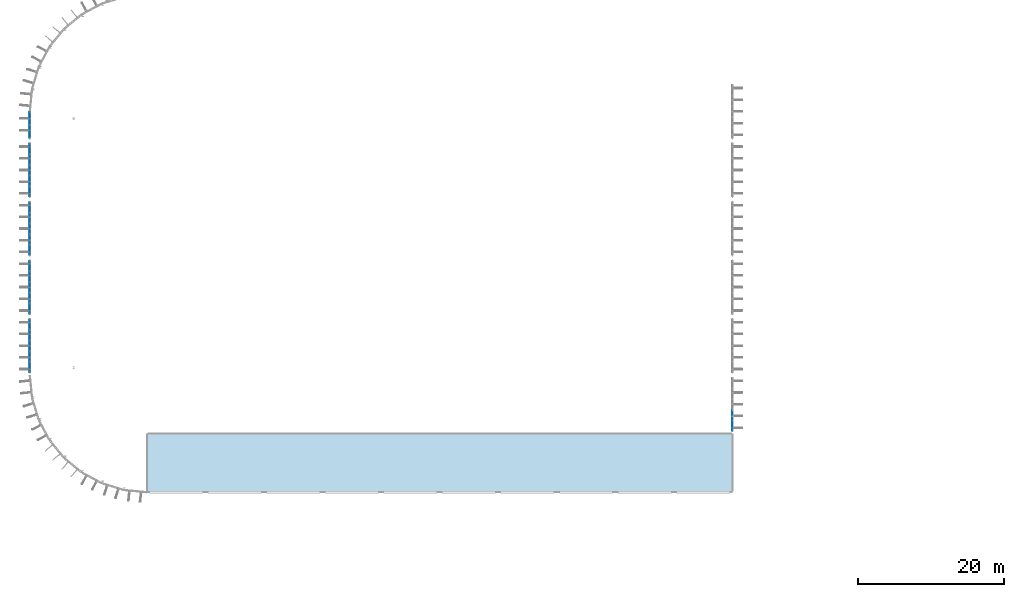
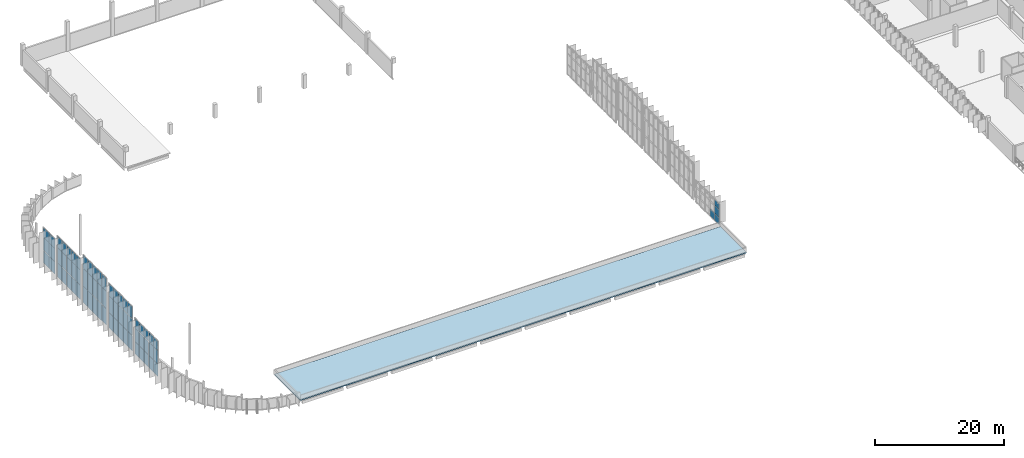
# One storey, part 20 of 38: 70 plates, 1 slab, 6 elements without a shape of their own.
"""IFC4 building model written with IfcOpenShell, lengths in metres."""

from ifc_helpers import new_model, si_unit, direction, frame, origin, origin_2d, place, context, subcontext, project, spatial, polyline, rectangle, outline, extrude, material, layer, layer_set, type_object, element, aggregate, save


model = new_model("IFC4")

# Units and contexts
model_context = context("Model", 3, precision=1e-05, world=origin(), true_north=direction((0.0, 1.0)))
body_context = subcontext(model_context, "Body", "Model", "MODEL_VIEW")
ifc_project = project(units=[si_unit("LENGTHUNIT", "METRE"), si_unit("AREAUNIT", "SQUARE_METRE"), si_unit("VOLUMEUNIT", "CUBIC_METRE"), si_unit("PLANEANGLEUNIT", "RADIAN"), si_unit("MASSUNIT", "GRAM", prefix="KILO")], contexts=[model_context])

# Site, building, storey
site_placement = place(None, origin())
site = spatial("IfcSite", under=ifc_project, at=site_placement, CompositionType="ELEMENT")
building_placement = place(site_placement, origin())
building = spatial("IfcBuilding", under=site, at=building_placement, Name="Drelvana Railside Aquatics Centre", CompositionType="ELEMENT")
storey_placement = place(building_placement, frame((0.0, 0.0, 14.39990234375)))
storey = spatial("IfcBuildingStorey", under=building, at=storey_placement, Name="L03", CompositionType="ELEMENT", Elevation=14.39990234375)

# Curtain wall, plates
ifc_material_1 = material(Name="Bronze-anodised aluminium curtain wall", Category="aluminium")
ifc_layer_1 = layer(ifc_material_1, 0.219970703125, Name="Bronze-anodised aluminium curtain wall")
ifc_layer_set_1 = layer_set([ifc_layer_1], Name="Bronze-anodised aluminium curtain wall")
curtain_wall_type = type_object("IfcCurtainWallType", Name="CW-Z3-HIGH", PredefinedType="NOTDEFINED", material=ifc_layer_set_1)
curtain_wall_1_placement = place(storey_placement, origin())
curtain_wall_1 = element("IfcCurtainWall", 1, at=curtain_wall_1_placement, inside=storey, type_object=curtain_wall_type, Name="Curtain wall CW-03-044", PredefinedType="NOTDEFINED")
ifc_material_2 = material(Name="Double-glazed low-e solar-control glass", Category="glass")
ifc_layer_2 = layer(ifc_material_2, 0.035888671875, Name="Double-glazed low-e solar-control glass")
ifc_layer_set_2 = layer_set([ifc_layer_2], Name="Double-glazed low-e solar-control glass")
plate_type = type_object("IfcPlateType", Name="CW-Z3-HIGH-PAN", PredefinedType="CURTAIN_PANEL", material=ifc_layer_set_2)
plate_1_placement = place(storey_placement, frame((0.0, 33.09521484375, 0.06396484375), z_axis=(0.0, 0.0, 1.0), x_axis=(0.0, 1.0, 0.0)))
plate_1 = element("IfcPlate", 2, at=plate_1_placement, type_object=plate_type, Name="CW-03 panel 1.1", PredefinedType="CURTAIN_PANEL", context=body_context, shape_type="SweptSolid", body=[
    extrude(rectangle(XDim=1.352294921875, YDim=0.035888671875, at=origin_2d()), origin(), (0.0, 0.0, 1.0), 2.28955078125),
])
plate_2_placement = place(storey_placement, frame((0.0, 33.09521484375, 2.418701171875), z_axis=(0.0, 0.0, 1.0), x_axis=(0.0, 1.0, 0.0)))
plate_2 = element("IfcPlate", 3, at=plate_2_placement, type_object=plate_type, Name="CW-03 panel 1.2", PredefinedType="CURTAIN_PANEL", context=body_context, shape_type="SweptSolid", body=[
    extrude(rectangle(XDim=1.352294921875, YDim=0.035888671875, at=origin_2d()), origin(), (0.0, 0.0, 1.0), 2.462890625),
])
plate_3_placement = place(storey_placement, frame((0.0, 33.09521484375, 4.946533203125), z_axis=(0.0, 0.0, 1.0), x_axis=(0.0, 1.0, 0.0)))
plate_3 = element("IfcPlate", 4, at=plate_3_placement, type_object=plate_type, Name="CW-03 panel 1.3", PredefinedType="CURTAIN_PANEL", context=body_context, shape_type="SweptSolid", body=[
    extrude(rectangle(XDim=1.352294921875, YDim=0.035888671875, at=origin_2d()), origin(), (0.0, 0.0, 1.0), 1.8115234375),
])
plate_4_placement = place(storey_placement, frame((0.0, 34.53759765625, 0.06396484375), z_axis=(0.0, 0.0, 1.0), x_axis=(0.0, 1.0, 0.0)))
plate_4 = element("IfcPlate", 5, at=plate_4_placement, type_object=plate_type, Name="CW-03 panel 2.1", PredefinedType="CURTAIN_PANEL", context=body_context, shape_type="SweptSolid", body=[
    extrude(rectangle(XDim=1.392333984375, YDim=0.035888671875, at=origin_2d()), origin(), (0.0, 0.0, 1.0), 2.28955078125),
])
plate_5_placement = place(storey_placement, frame((0.0, 34.53759765625, 2.418701171875), z_axis=(0.0, 0.0, 1.0), x_axis=(0.0, 1.0, 0.0)))
plate_5 = element("IfcPlate", 6, at=plate_5_placement, type_object=plate_type, Name="CW-03 panel 2.2", PredefinedType="CURTAIN_PANEL", context=body_context, shape_type="SweptSolid", body=[
    extrude(rectangle(XDim=1.392333984375, YDim=0.035888671875, at=origin_2d()), origin(), (0.0, 0.0, 1.0), 2.462890625),
])
plate_6_placement = place(storey_placement, frame((0.0, 34.53759765625, 4.946533203125), z_axis=(0.0, 0.0, 1.0), x_axis=(0.0, 1.0, 0.0)))
plate_6 = element("IfcPlate", 7, at=plate_6_placement, type_object=plate_type, Name="CW-03 panel 2.3", PredefinedType="CURTAIN_PANEL", context=body_context, shape_type="SweptSolid", body=[
    extrude(rectangle(XDim=1.392333984375, YDim=0.035888671875, at=origin_2d()), origin(), (0.0, 0.0, 1.0), 1.8115234375),
])
plate_7_placement = place(storey_placement, frame((0.0, 36.0, 0.06396484375), z_axis=(0.0, 0.0, 1.0), x_axis=(0.0, 1.0, 0.0)))
plate_7 = element("IfcPlate", 8, at=plate_7_placement, type_object=plate_type, Name="CW-03 panel 3.1", PredefinedType="CURTAIN_PANEL", context=body_context, shape_type="SweptSolid", body=[
    extrude(rectangle(XDim=1.392333984375, YDim=0.035888671875, at=origin_2d()), origin(), (0.0, 0.0, 1.0), 2.28955078125),
])
plate_8_placement = place(storey_placement, frame((0.0, 36.0, 2.418701171875), z_axis=(0.0, 0.0, 1.0), x_axis=(0.0, 1.0, 0.0)))
plate_8 = element("IfcPlate", 9, at=plate_8_placement, type_object=plate_type, Name="CW-03 panel 3.2", PredefinedType="CURTAIN_PANEL", context=body_context, shape_type="SweptSolid", body=[
    extrude(rectangle(XDim=1.392333984375, YDim=0.035888671875, at=origin_2d()), origin(), (0.0, 0.0, 1.0), 2.462890625),
])
plate_9_placement = place(storey_placement, frame((0.0, 36.0, 4.946533203125), z_axis=(0.0, 0.0, 1.0), x_axis=(0.0, 1.0, 0.0)))
plate_9 = element("IfcPlate", 10, at=plate_9_placement, type_object=plate_type, Name="CW-03 panel 3.3", PredefinedType="CURTAIN_PANEL", context=body_context, shape_type="SweptSolid", body=[
    extrude(rectangle(XDim=1.392333984375, YDim=0.035888671875, at=origin_2d()), origin(), (0.0, 0.0, 1.0), 1.8115234375),
])
plate_10_placement = place(storey_placement, frame((0.0, 37.46240234375, 0.06396484375), z_axis=(0.0, 0.0, 1.0), x_axis=(0.0, 1.0, 0.0)))
plate_10 = element("IfcPlate", 11, at=plate_10_placement, type_object=plate_type, Name="CW-03 panel 4.1", PredefinedType="CURTAIN_PANEL", context=body_context, shape_type="SweptSolid", body=[
    extrude(rectangle(XDim=1.392333984375, YDim=0.035888671875, at=origin_2d()), origin(), (0.0, 0.0, 1.0), 2.28955078125),
])
plate_11_placement = place(storey_placement, frame((0.0, 37.46240234375, 2.418701171875), z_axis=(0.0, 0.0, 1.0), x_axis=(0.0, 1.0, 0.0)))
plate_11 = element("IfcPlate", 12, at=plate_11_placement, type_object=plate_type, Name="CW-03 panel 4.2", PredefinedType="CURTAIN_PANEL", context=body_context, shape_type="SweptSolid", body=[
    extrude(rectangle(XDim=1.392333984375, YDim=0.035888671875, at=origin_2d()), origin(), (0.0, 0.0, 1.0), 2.462890625),
])
plate_12_placement = place(storey_placement, frame((0.0, 37.46240234375, 4.946533203125), z_axis=(0.0, 0.0, 1.0), x_axis=(0.0, 1.0, 0.0)))
plate_12 = element("IfcPlate", 13, at=plate_12_placement, type_object=plate_type, Name="CW-03 panel 4.3", PredefinedType="CURTAIN_PANEL", context=body_context, shape_type="SweptSolid", body=[
    extrude(rectangle(XDim=1.392333984375, YDim=0.035888671875, at=origin_2d()), origin(), (0.0, 0.0, 1.0), 1.8115234375),
])
plate_13_placement = place(storey_placement, frame((0.0, 38.90478515625, 0.06396484375), z_axis=(0.0, 0.0, 1.0), x_axis=(0.0, 1.0, 0.0)))
plate_13 = element("IfcPlate", 14, at=plate_13_placement, type_object=plate_type, Name="CW-03 panel 5.1", PredefinedType="CURTAIN_PANEL", context=body_context, shape_type="SweptSolid", body=[
    extrude(rectangle(XDim=1.352294921875, YDim=0.035888671875, at=origin_2d()), origin(), (0.0, 0.0, 1.0), 2.28955078125),
])
plate_14_placement = place(storey_placement, frame((0.0, 38.90478515625, 2.418701171875), z_axis=(0.0, 0.0, 1.0), x_axis=(0.0, 1.0, 0.0)))
plate_14 = element("IfcPlate", 15, at=plate_14_placement, type_object=plate_type, Name="CW-03 panel 5.2", PredefinedType="CURTAIN_PANEL", context=body_context, shape_type="SweptSolid", body=[
    extrude(rectangle(XDim=1.352294921875, YDim=0.035888671875, at=origin_2d()), origin(), (0.0, 0.0, 1.0), 2.462890625),
])
plate_15_placement = place(storey_placement, frame((0.0, 38.90478515625, 4.946533203125), z_axis=(0.0, 0.0, 1.0), x_axis=(0.0, 1.0, 0.0)))
plate_15 = element("IfcPlate", 16, at=plate_15_placement, type_object=plate_type, Name="CW-03 panel 5.3", PredefinedType="CURTAIN_PANEL", context=body_context, shape_type="SweptSolid", body=[
    extrude(rectangle(XDim=1.352294921875, YDim=0.035888671875, at=origin_2d()), origin(), (0.0, 0.0, 1.0), 1.8115234375),
])
aggregate(curtain_wall_1, [plate_1, plate_2, plate_3, plate_4, plate_5, plate_6, plate_7, plate_8, plate_9, plate_10, plate_11, plate_12, plate_13, plate_14, plate_15])

curtain_wall_2_placement = place(storey_placement, origin())
curtain_wall_2 = element("IfcCurtainWall", 17, at=curtain_wall_2_placement, inside=storey, type_object=curtain_wall_type, Name="Curtain wall CW-03-048", PredefinedType="NOTDEFINED")
plate_16_placement = place(storey_placement, frame((0.0, 41.09521484375, 0.064208984375), z_axis=(0.0, 0.0, 1.0), x_axis=(0.0, 1.0, 0.0)))
plate_16 = element("IfcPlate", 18, at=plate_16_placement, type_object=plate_type, Name="CW-03 panel 1.1", PredefinedType="CURTAIN_PANEL", context=body_context, shape_type="SweptSolid", body=[
    extrude(rectangle(XDim=1.352294921875, YDim=0.035888671875, at=origin_2d()), origin(), (0.0, 0.0, 1.0), 2.8994140625),
])
plate_17_placement = place(storey_placement, frame((0.0, 41.09521484375, 3.028564453125), z_axis=(0.0, 0.0, 1.0), x_axis=(0.0, 1.0, 0.0)))
plate_17 = element("IfcPlate", 19, at=plate_17_placement, type_object=plate_type, Name="CW-03 panel 1.2", PredefinedType="CURTAIN_PANEL", context=body_context, shape_type="SweptSolid", body=[
    extrude(rectangle(XDim=1.352294921875, YDim=0.035888671875, at=origin_2d()), origin(), (0.0, 0.0, 1.0), 3.10791015625),
])
plate_18_placement = place(storey_placement, frame((0.0, 41.09521484375, 6.20166015625), z_axis=(0.0, 0.0, 1.0), x_axis=(0.0, 1.0, 0.0)))
plate_18 = element("IfcPlate", 20, at=plate_18_placement, type_object=plate_type, Name="CW-03 panel 1.3", PredefinedType="CURTAIN_PANEL", context=body_context, shape_type="SweptSolid", body=[
    extrude(rectangle(XDim=1.352294921875, YDim=0.035888671875, at=origin_2d()), origin(), (0.0, 0.0, 1.0), 2.299560546875),
])
plate_19_placement = place(storey_placement, frame((0.0, 42.53759765625, 0.064208984375), z_axis=(0.0, 0.0, 1.0), x_axis=(0.0, 1.0, 0.0)))
plate_19 = element("IfcPlate", 21, at=plate_19_placement, type_object=plate_type, Name="CW-03 panel 2.1", PredefinedType="CURTAIN_PANEL", context=body_context, shape_type="SweptSolid", body=[
    extrude(rectangle(XDim=1.392333984375, YDim=0.035888671875, at=origin_2d()), origin(), (0.0, 0.0, 1.0), 2.8994140625),
])
plate_20_placement = place(storey_placement, frame((0.0, 42.53759765625, 3.028564453125), z_axis=(0.0, 0.0, 1.0), x_axis=(0.0, 1.0, 0.0)))
plate_20 = element("IfcPlate", 22, at=plate_20_placement, type_object=plate_type, Name="CW-03 panel 2.2", PredefinedType="CURTAIN_PANEL", context=body_context, shape_type="SweptSolid", body=[
    extrude(rectangle(XDim=1.392333984375, YDim=0.035888671875, at=origin_2d()), origin(), (0.0, 0.0, 1.0), 3.10791015625),
])
plate_21_placement = place(storey_placement, frame((0.0, 42.53759765625, 6.20166015625), z_axis=(0.0, 0.0, 1.0), x_axis=(0.0, 1.0, 0.0)))
plate_21 = element("IfcPlate", 23, at=plate_21_placement, type_object=plate_type, Name="CW-03 panel 2.3", PredefinedType="CURTAIN_PANEL", context=body_context, shape_type="SweptSolid", body=[
    extrude(rectangle(XDim=1.392333984375, YDim=0.035888671875, at=origin_2d()), origin(), (0.0, 0.0, 1.0), 2.299560546875),
])
plate_22_placement = place(storey_placement, frame((0.0, 44.0, 0.064208984375), z_axis=(0.0, 0.0, 1.0), x_axis=(0.0, 1.0, 0.0)))
plate_22 = element("IfcPlate", 24, at=plate_22_placement, type_object=plate_type, Name="CW-03 panel 3.1", PredefinedType="CURTAIN_PANEL", context=body_context, shape_type="SweptSolid", body=[
    extrude(rectangle(XDim=1.392333984375, YDim=0.035888671875, at=origin_2d()), origin(), (0.0, 0.0, 1.0), 2.8994140625),
])
plate_23_placement = place(storey_placement, frame((0.0, 44.0, 3.028564453125), z_axis=(0.0, 0.0, 1.0), x_axis=(0.0, 1.0, 0.0)))
plate_23 = element("IfcPlate", 25, at=plate_23_placement, type_object=plate_type, Name="CW-03 panel 3.2", PredefinedType="CURTAIN_PANEL", context=body_context, shape_type="SweptSolid", body=[
    extrude(rectangle(XDim=1.392333984375, YDim=0.035888671875, at=origin_2d()), origin(), (0.0, 0.0, 1.0), 3.10791015625),
])
plate_24_placement = place(storey_placement, frame((0.0, 44.0, 6.20166015625), z_axis=(0.0, 0.0, 1.0), x_axis=(0.0, 1.0, 0.0)))
plate_24 = element("IfcPlate", 26, at=plate_24_placement, type_object=plate_type, Name="CW-03 panel 3.3", PredefinedType="CURTAIN_PANEL", context=body_context, shape_type="SweptSolid", body=[
    extrude(rectangle(XDim=1.392333984375, YDim=0.035888671875, at=origin_2d()), origin(), (0.0, 0.0, 1.0), 2.299560546875),
])
plate_25_placement = place(storey_placement, frame((0.0, 45.46240234375, 0.064208984375), z_axis=(0.0, 0.0, 1.0), x_axis=(0.0, 1.0, 0.0)))
plate_25 = element("IfcPlate", 27, at=plate_25_placement, type_object=plate_type, Name="CW-03 panel 4.1", PredefinedType="CURTAIN_PANEL", context=body_context, shape_type="SweptSolid", body=[
    extrude(rectangle(XDim=1.392333984375, YDim=0.035888671875, at=origin_2d()), origin(), (0.0, 0.0, 1.0), 2.8994140625),
])
plate_26_placement = place(storey_placement, frame((0.0, 45.46240234375, 3.028564453125), z_axis=(0.0, 0.0, 1.0), x_axis=(0.0, 1.0, 0.0)))
plate_26 = element("IfcPlate", 28, at=plate_26_placement, type_object=plate_type, Name="CW-03 panel 4.2", PredefinedType="CURTAIN_PANEL", context=body_context, shape_type="SweptSolid", body=[
    extrude(rectangle(XDim=1.392333984375, YDim=0.035888671875, at=origin_2d()), origin(), (0.0, 0.0, 1.0), 3.10791015625),
])
plate_27_placement = place(storey_placement, frame((0.0, 45.46240234375, 6.20166015625), z_axis=(0.0, 0.0, 1.0), x_axis=(0.0, 1.0, 0.0)))
plate_27 = element("IfcPlate", 29, at=plate_27_placement, type_object=plate_type, Name="CW-03 panel 4.3", PredefinedType="CURTAIN_PANEL", context=body_context, shape_type="SweptSolid", body=[
    extrude(rectangle(XDim=1.392333984375, YDim=0.035888671875, at=origin_2d()), origin(), (0.0, 0.0, 1.0), 2.299560546875),
])
plate_28_placement = place(storey_placement, frame((0.0, 46.90478515625, 0.064208984375), z_axis=(0.0, 0.0, 1.0), x_axis=(0.0, 1.0, 0.0)))
plate_28 = element("IfcPlate", 30, at=plate_28_placement, type_object=plate_type, Name="CW-03 panel 5.1", PredefinedType="CURTAIN_PANEL", context=body_context, shape_type="SweptSolid", body=[
    extrude(rectangle(XDim=1.352294921875, YDim=0.035888671875, at=origin_2d()), origin(), (0.0, 0.0, 1.0), 2.8994140625),
])
plate_29_placement = place(storey_placement, frame((0.0, 46.90478515625, 3.028564453125), z_axis=(0.0, 0.0, 1.0), x_axis=(0.0, 1.0, 0.0)))
plate_29 = element("IfcPlate", 31, at=plate_29_placement, type_object=plate_type, Name="CW-03 panel 5.2", PredefinedType="CURTAIN_PANEL", context=body_context, shape_type="SweptSolid", body=[
    extrude(rectangle(XDim=1.352294921875, YDim=0.035888671875, at=origin_2d()), origin(), (0.0, 0.0, 1.0), 3.10791015625),
])
plate_30_placement = place(storey_placement, frame((0.0, 46.90478515625, 6.20166015625), z_axis=(0.0, 0.0, 1.0), x_axis=(0.0, 1.0, 0.0)))
plate_30 = element("IfcPlate", 32, at=plate_30_placement, type_object=plate_type, Name="CW-03 panel 5.3", PredefinedType="CURTAIN_PANEL", context=body_context, shape_type="SweptSolid", body=[
    extrude(rectangle(XDim=1.352294921875, YDim=0.035888671875, at=origin_2d()), origin(), (0.0, 0.0, 1.0), 2.299560546875),
])
aggregate(curtain_wall_2, [plate_16, plate_17, plate_18, plate_19, plate_20, plate_21, plate_22, plate_23, plate_24, plate_25, plate_26, plate_27, plate_28, plate_29, plate_30])

curtain_wall_3_placement = place(storey_placement, origin())
curtain_wall_3 = element("IfcCurtainWall", 33, at=curtain_wall_3_placement, inside=storey, type_object=curtain_wall_type, Name="Curtain wall CW-03-049", PredefinedType="NOTDEFINED")
plate_31_placement = place(storey_placement, frame((0.0, 49.09521484375, 0.06396484375), z_axis=(0.0, 0.0, 1.0), x_axis=(0.0, 1.0, 0.0)))
plate_31 = element("IfcPlate", 34, at=plate_31_placement, type_object=plate_type, Name="CW-03 panel 1.1", PredefinedType="CURTAIN_PANEL", context=body_context, shape_type="SweptSolid", body=[
    extrude(rectangle(XDim=1.352294921875, YDim=0.035888671875, at=origin_2d()), origin(), (0.0, 0.0, 1.0), 3.074462890625),
])
plate_32_placement = place(storey_placement, frame((0.0, 49.09521484375, 3.20361328125), z_axis=(0.0, 0.0, 1.0), x_axis=(0.0, 1.0, 0.0)))
plate_32 = element("IfcPlate", 35, at=plate_32_placement, type_object=plate_type, Name="CW-03 panel 1.2", PredefinedType="CURTAIN_PANEL", context=body_context, shape_type="SweptSolid", body=[
    extrude(rectangle(XDim=1.352294921875, YDim=0.035888671875, at=origin_2d()), origin(), (0.0, 0.0, 1.0), 3.29296875),
])
plate_33_placement = place(storey_placement, frame((0.0, 49.09521484375, 6.5615234375), z_axis=(0.0, 0.0, 1.0), x_axis=(0.0, 1.0, 0.0)))
plate_33 = element("IfcPlate", 36, at=plate_33_placement, type_object=plate_type, Name="CW-03 panel 1.3", PredefinedType="CURTAIN_PANEL", context=body_context, shape_type="SweptSolid", body=[
    extrude(rectangle(XDim=1.352294921875, YDim=0.035888671875, at=origin_2d()), origin(), (0.0, 0.0, 1.0), 2.4384765625),
])
plate_34_placement = place(storey_placement, frame((0.0, 50.53759765625, 0.06396484375), z_axis=(0.0, 0.0, 1.0), x_axis=(0.0, 1.0, 0.0)))
plate_34 = element("IfcPlate", 37, at=plate_34_placement, type_object=plate_type, Name="CW-03 panel 2.1", PredefinedType="CURTAIN_PANEL", context=body_context, shape_type="SweptSolid", body=[
    extrude(rectangle(XDim=1.392333984375, YDim=0.035888671875, at=origin_2d()), origin(), (0.0, 0.0, 1.0), 3.074462890625),
])
plate_35_placement = place(storey_placement, frame((0.0, 50.53759765625, 3.20361328125), z_axis=(0.0, 0.0, 1.0), x_axis=(0.0, 1.0, 0.0)))
plate_35 = element("IfcPlate", 38, at=plate_35_placement, type_object=plate_type, Name="CW-03 panel 2.2", PredefinedType="CURTAIN_PANEL", context=body_context, shape_type="SweptSolid", body=[
    extrude(rectangle(XDim=1.392333984375, YDim=0.035888671875, at=origin_2d()), origin(), (0.0, 0.0, 1.0), 3.29296875),
])
plate_36_placement = place(storey_placement, frame((0.0, 50.53759765625, 6.5615234375), z_axis=(0.0, 0.0, 1.0), x_axis=(0.0, 1.0, 0.0)))
plate_36 = element("IfcPlate", 39, at=plate_36_placement, type_object=plate_type, Name="CW-03 panel 2.3", PredefinedType="CURTAIN_PANEL", context=body_context, shape_type="SweptSolid", body=[
    extrude(rectangle(XDim=1.392333984375, YDim=0.035888671875, at=origin_2d()), origin(), (0.0, 0.0, 1.0), 2.4384765625),
])
plate_37_placement = place(storey_placement, frame((0.0, 52.0, 0.06396484375), z_axis=(0.0, 0.0, 1.0), x_axis=(0.0, 1.0, 0.0)))
plate_37 = element("IfcPlate", 40, at=plate_37_placement, type_object=plate_type, Name="CW-03 panel 3.1", PredefinedType="CURTAIN_PANEL", context=body_context, shape_type="SweptSolid", body=[
    extrude(rectangle(XDim=1.392333984375, YDim=0.035888671875, at=origin_2d()), origin(), (0.0, 0.0, 1.0), 3.074462890625),
])
plate_38_placement = place(storey_placement, frame((0.0, 52.0, 3.20361328125), z_axis=(0.0, 0.0, 1.0), x_axis=(0.0, 1.0, 0.0)))
plate_38 = element("IfcPlate", 41, at=plate_38_placement, type_object=plate_type, Name="CW-03 panel 3.2", PredefinedType="CURTAIN_PANEL", context=body_context, shape_type="SweptSolid", body=[
    extrude(rectangle(XDim=1.392333984375, YDim=0.035888671875, at=origin_2d()), origin(), (0.0, 0.0, 1.0), 3.29296875),
])
plate_39_placement = place(storey_placement, frame((0.0, 52.0, 6.5615234375), z_axis=(0.0, 0.0, 1.0), x_axis=(0.0, 1.0, 0.0)))
plate_39 = element("IfcPlate", 42, at=plate_39_placement, type_object=plate_type, Name="CW-03 panel 3.3", PredefinedType="CURTAIN_PANEL", context=body_context, shape_type="SweptSolid", body=[
    extrude(rectangle(XDim=1.392333984375, YDim=0.035888671875, at=origin_2d()), origin(), (0.0, 0.0, 1.0), 2.4384765625),
])
plate_40_placement = place(storey_placement, frame((0.0, 53.46240234375, 0.06396484375), z_axis=(0.0, 0.0, 1.0), x_axis=(0.0, 1.0, 0.0)))
plate_40 = element("IfcPlate", 43, at=plate_40_placement, type_object=plate_type, Name="CW-03 panel 4.1", PredefinedType="CURTAIN_PANEL", context=body_context, shape_type="SweptSolid", body=[
    extrude(rectangle(XDim=1.392333984375, YDim=0.035888671875, at=origin_2d()), origin(), (0.0, 0.0, 1.0), 3.074462890625),
])
plate_41_placement = place(storey_placement, frame((0.0, 53.46240234375, 3.20361328125), z_axis=(0.0, 0.0, 1.0), x_axis=(0.0, 1.0, 0.0)))
plate_41 = element("IfcPlate", 44, at=plate_41_placement, type_object=plate_type, Name="CW-03 panel 4.2", PredefinedType="CURTAIN_PANEL", context=body_context, shape_type="SweptSolid", body=[
    extrude(rectangle(XDim=1.392333984375, YDim=0.035888671875, at=origin_2d()), origin(), (0.0, 0.0, 1.0), 3.29296875),
])
plate_42_placement = place(storey_placement, frame((0.0, 53.46240234375, 6.5615234375), z_axis=(0.0, 0.0, 1.0), x_axis=(0.0, 1.0, 0.0)))
plate_42 = element("IfcPlate", 45, at=plate_42_placement, type_object=plate_type, Name="CW-03 panel 4.3", PredefinedType="CURTAIN_PANEL", context=body_context, shape_type="SweptSolid", body=[
    extrude(rectangle(XDim=1.392333984375, YDim=0.035888671875, at=origin_2d()), origin(), (0.0, 0.0, 1.0), 2.4384765625),
])
plate_43_placement = place(storey_placement, frame((0.0, 54.90478515625, 0.06396484375), z_axis=(0.0, 0.0, 1.0), x_axis=(0.0, 1.0, 0.0)))
plate_43 = element("IfcPlate", 46, at=plate_43_placement, type_object=plate_type, Name="CW-03 panel 5.1", PredefinedType="CURTAIN_PANEL", context=body_context, shape_type="SweptSolid", body=[
    extrude(rectangle(XDim=1.352294921875, YDim=0.035888671875, at=origin_2d()), origin(), (0.0, 0.0, 1.0), 3.074462890625),
])
plate_44_placement = place(storey_placement, frame((0.0, 54.90478515625, 3.20361328125), z_axis=(0.0, 0.0, 1.0), x_axis=(0.0, 1.0, 0.0)))
plate_44 = element("IfcPlate", 47, at=plate_44_placement, type_object=plate_type, Name="CW-03 panel 5.2", PredefinedType="CURTAIN_PANEL", context=body_context, shape_type="SweptSolid", body=[
    extrude(rectangle(XDim=1.352294921875, YDim=0.035888671875, at=origin_2d()), origin(), (0.0, 0.0, 1.0), 3.29296875),
])
plate_45_placement = place(storey_placement, frame((0.0, 54.90478515625, 6.5615234375), z_axis=(0.0, 0.0, 1.0), x_axis=(0.0, 1.0, 0.0)))
plate_45 = element("IfcPlate", 48, at=plate_45_placement, type_object=plate_type, Name="CW-03 panel 5.3", PredefinedType="CURTAIN_PANEL", context=body_context, shape_type="SweptSolid", body=[
    extrude(rectangle(XDim=1.352294921875, YDim=0.035888671875, at=origin_2d()), origin(), (0.0, 0.0, 1.0), 2.4384765625),
])
aggregate(curtain_wall_3, [plate_31, plate_32, plate_33, plate_34, plate_35, plate_36, plate_37, plate_38, plate_39, plate_40, plate_41, plate_42, plate_43, plate_44, plate_45])

curtain_wall_4_placement = place(storey_placement, origin())
curtain_wall_4 = element("IfcCurtainWall", 49, at=curtain_wall_4_placement, inside=storey, type_object=curtain_wall_type, Name="Curtain wall CW-03-053", PredefinedType="NOTDEFINED")
plate_46_placement = place(storey_placement, frame((0.0, 57.09521484375, 0.06396484375), z_axis=(0.0, 0.0, 1.0), x_axis=(0.0, 1.0, 0.0)))
plate_46 = element("IfcPlate", 50, at=plate_46_placement, type_object=plate_type, Name="CW-03 panel 1.1", PredefinedType="CURTAIN_PANEL", context=body_context, shape_type="SweptSolid", body=[
    extrude(rectangle(XDim=1.352294921875, YDim=0.035888671875, at=origin_2d()), origin(), (0.0, 0.0, 1.0), 2.637451171875),
])
plate_47_placement = place(storey_placement, frame((0.0, 57.09521484375, 2.7666015625), z_axis=(0.0, 0.0, 1.0), x_axis=(0.0, 1.0, 0.0)))
plate_47 = element("IfcPlate", 51, at=plate_47_placement, type_object=plate_type, Name="CW-03 panel 1.2", PredefinedType="CURTAIN_PANEL", context=body_context, shape_type="SweptSolid", body=[
    extrude(rectangle(XDim=1.352294921875, YDim=0.035888671875, at=origin_2d()), origin(), (0.0, 0.0, 1.0), 2.8330078125),
])
plate_48_placement = place(storey_placement, frame((0.0, 57.09521484375, 5.66455078125), z_axis=(0.0, 0.0, 1.0), x_axis=(0.0, 1.0, 0.0)))
plate_48 = element("IfcPlate", 52, at=plate_48_placement, type_object=plate_type, Name="CW-03 panel 1.3", PredefinedType="CURTAIN_PANEL", context=body_context, shape_type="SweptSolid", body=[
    extrude(rectangle(XDim=1.352294921875, YDim=0.035888671875, at=origin_2d()), origin(), (0.0, 0.0, 1.0), 2.089599609375),
])
plate_49_placement = place(storey_placement, frame((0.0, 58.53759765625, 0.06396484375), z_axis=(0.0, 0.0, 1.0), x_axis=(0.0, 1.0, 0.0)))
plate_49 = element("IfcPlate", 53, at=plate_49_placement, type_object=plate_type, Name="CW-03 panel 2.1", PredefinedType="CURTAIN_PANEL", context=body_context, shape_type="SweptSolid", body=[
    extrude(rectangle(XDim=1.392333984375, YDim=0.035888671875, at=origin_2d()), origin(), (0.0, 0.0, 1.0), 2.637451171875),
])
plate_50_placement = place(storey_placement, frame((0.0, 58.53759765625, 2.7666015625), z_axis=(0.0, 0.0, 1.0), x_axis=(0.0, 1.0, 0.0)))
plate_50 = element("IfcPlate", 54, at=plate_50_placement, type_object=plate_type, Name="CW-03 panel 2.2", PredefinedType="CURTAIN_PANEL", context=body_context, shape_type="SweptSolid", body=[
    extrude(rectangle(XDim=1.392333984375, YDim=0.035888671875, at=origin_2d()), origin(), (0.0, 0.0, 1.0), 2.8330078125),
])
plate_51_placement = place(storey_placement, frame((0.0, 58.53759765625, 5.66455078125), z_axis=(0.0, 0.0, 1.0), x_axis=(0.0, 1.0, 0.0)))
plate_51 = element("IfcPlate", 55, at=plate_51_placement, type_object=plate_type, Name="CW-03 panel 2.3", PredefinedType="CURTAIN_PANEL", context=body_context, shape_type="SweptSolid", body=[
    extrude(rectangle(XDim=1.392333984375, YDim=0.035888671875, at=origin_2d()), origin(), (0.0, 0.0, 1.0), 2.089599609375),
])
plate_52_placement = place(storey_placement, frame((0.0, 60.0, 0.06396484375), z_axis=(0.0, 0.0, 1.0), x_axis=(0.0, 1.0, 0.0)))
plate_52 = element("IfcPlate", 56, at=plate_52_placement, type_object=plate_type, Name="CW-03 panel 3.1", PredefinedType="CURTAIN_PANEL", context=body_context, shape_type="SweptSolid", body=[
    extrude(rectangle(XDim=1.392333984375, YDim=0.035888671875, at=origin_2d()), origin(), (0.0, 0.0, 1.0), 2.637451171875),
])
plate_53_placement = place(storey_placement, frame((0.0, 60.0, 2.7666015625), z_axis=(0.0, 0.0, 1.0), x_axis=(0.0, 1.0, 0.0)))
plate_53 = element("IfcPlate", 57, at=plate_53_placement, type_object=plate_type, Name="CW-03 panel 3.2", PredefinedType="CURTAIN_PANEL", context=body_context, shape_type="SweptSolid", body=[
    extrude(rectangle(XDim=1.392333984375, YDim=0.035888671875, at=origin_2d()), origin(), (0.0, 0.0, 1.0), 2.8330078125),
])
plate_54_placement = place(storey_placement, frame((0.0, 60.0, 5.66455078125), z_axis=(0.0, 0.0, 1.0), x_axis=(0.0, 1.0, 0.0)))
plate_54 = element("IfcPlate", 58, at=plate_54_placement, type_object=plate_type, Name="CW-03 panel 3.3", PredefinedType="CURTAIN_PANEL", context=body_context, shape_type="SweptSolid", body=[
    extrude(rectangle(XDim=1.392333984375, YDim=0.035888671875, at=origin_2d()), origin(), (0.0, 0.0, 1.0), 2.089599609375),
])
plate_55_placement = place(storey_placement, frame((0.0, 61.46240234375, 0.06396484375), z_axis=(0.0, 0.0, 1.0), x_axis=(0.0, 1.0, 0.0)))
plate_55 = element("IfcPlate", 59, at=plate_55_placement, type_object=plate_type, Name="CW-03 panel 4.1", PredefinedType="CURTAIN_PANEL", context=body_context, shape_type="SweptSolid", body=[
    extrude(rectangle(XDim=1.392333984375, YDim=0.035888671875, at=origin_2d()), origin(), (0.0, 0.0, 1.0), 2.637451171875),
])
plate_56_placement = place(storey_placement, frame((0.0, 61.46240234375, 2.7666015625), z_axis=(0.0, 0.0, 1.0), x_axis=(0.0, 1.0, 0.0)))
plate_56 = element("IfcPlate", 60, at=plate_56_placement, type_object=plate_type, Name="CW-03 panel 4.2", PredefinedType="CURTAIN_PANEL", context=body_context, shape_type="SweptSolid", body=[
    extrude(rectangle(XDim=1.392333984375, YDim=0.035888671875, at=origin_2d()), origin(), (0.0, 0.0, 1.0), 2.8330078125),
])
plate_57_placement = place(storey_placement, frame((0.0, 61.46240234375, 5.66455078125), z_axis=(0.0, 0.0, 1.0), x_axis=(0.0, 1.0, 0.0)))
plate_57 = element("IfcPlate", 61, at=plate_57_placement, type_object=plate_type, Name="CW-03 panel 4.3", PredefinedType="CURTAIN_PANEL", context=body_context, shape_type="SweptSolid", body=[
    extrude(rectangle(XDim=1.392333984375, YDim=0.035888671875, at=origin_2d()), origin(), (0.0, 0.0, 1.0), 2.089599609375),
])
plate_58_placement = place(storey_placement, frame((0.0, 62.90478515625, 0.06396484375), z_axis=(0.0, 0.0, 1.0), x_axis=(0.0, 1.0, 0.0)))
plate_58 = element("IfcPlate", 62, at=plate_58_placement, type_object=plate_type, Name="CW-03 panel 5.1", PredefinedType="CURTAIN_PANEL", context=body_context, shape_type="SweptSolid", body=[
    extrude(rectangle(XDim=1.352294921875, YDim=0.035888671875, at=origin_2d()), origin(), (0.0, 0.0, 1.0), 2.637451171875),
])
plate_59_placement = place(storey_placement, frame((0.0, 62.90478515625, 2.7666015625), z_axis=(0.0, 0.0, 1.0), x_axis=(0.0, 1.0, 0.0)))
plate_59 = element("IfcPlate", 63, at=plate_59_placement, type_object=plate_type, Name="CW-03 panel 5.2", PredefinedType="CURTAIN_PANEL", context=body_context, shape_type="SweptSolid", body=[
    extrude(rectangle(XDim=1.352294921875, YDim=0.035888671875, at=origin_2d()), origin(), (0.0, 0.0, 1.0), 2.8330078125),
])
plate_60_placement = place(storey_placement, frame((0.0, 62.90478515625, 5.66455078125), z_axis=(0.0, 0.0, 1.0), x_axis=(0.0, 1.0, 0.0)))
plate_60 = element("IfcPlate", 64, at=plate_60_placement, type_object=plate_type, Name="CW-03 panel 5.3", PredefinedType="CURTAIN_PANEL", context=body_context, shape_type="SweptSolid", body=[
    extrude(rectangle(XDim=1.352294921875, YDim=0.035888671875, at=origin_2d()), origin(), (0.0, 0.0, 1.0), 2.089599609375),
])
aggregate(curtain_wall_4, [plate_46, plate_47, plate_48, plate_49, plate_50, plate_51, plate_52, plate_53, plate_54, plate_55, plate_56, plate_57, plate_58, plate_59, plate_60])

curtain_wall_5_placement = place(storey_placement, origin())
curtain_wall_5 = element("IfcCurtainWall", 65, at=curtain_wall_5_placement, inside=storey, type_object=curtain_wall_type, Name="Curtain wall CW-03-054", PredefinedType="NOTDEFINED")
plate_61_placement = place(storey_placement, frame((0.0, 65.282958984375, 0.06396484375), z_axis=(0.0, 0.0, 1.0), x_axis=(0.0, 1.0, 0.0)))
plate_61 = element("IfcPlate", 66, at=plate_61_placement, type_object=plate_type, Name="CW-03 panel 1.1", PredefinedType="CURTAIN_PANEL", context=body_context, shape_type="SweptSolid", body=[
    extrude(rectangle(XDim=1.72802734375, YDim=0.035888671875, at=origin_2d()), origin(), (0.0, 0.0, 1.0), 2.28955078125),
])
plate_62_placement = place(storey_placement, frame((0.0, 65.282958984375, 2.418701171875), z_axis=(0.0, 0.0, 1.0), x_axis=(0.0, 1.0, 0.0)))
plate_62 = element("IfcPlate", 67, at=plate_62_placement, type_object=plate_type, Name="CW-03 panel 1.2", PredefinedType="CURTAIN_PANEL", context=body_context, shape_type="SweptSolid", body=[
    extrude(rectangle(XDim=1.72802734375, YDim=0.035888671875, at=origin_2d()), origin(), (0.0, 0.0, 1.0), 2.462890625),
])
plate_63_placement = place(storey_placement, frame((0.0, 65.282958984375, 4.946533203125), z_axis=(0.0, 0.0, 1.0), x_axis=(0.0, 1.0, 0.0)))
plate_63 = element("IfcPlate", 68, at=plate_63_placement, type_object=plate_type, Name="CW-03 panel 1.3", PredefinedType="CURTAIN_PANEL", context=body_context, shape_type="SweptSolid", body=[
    extrude(rectangle(XDim=1.72802734375, YDim=0.035888671875, at=origin_2d()), origin(), (0.0, 0.0, 1.0), 1.8115234375),
])
plate_64_placement = place(storey_placement, frame((0.0, 67.0810546875, 0.06396484375), z_axis=(0.0, 0.0, 1.0), x_axis=(0.0, 1.0, 0.0)))
plate_64 = element("IfcPlate", 69, at=plate_64_placement, type_object=plate_type, Name="CW-03 panel 2.1", PredefinedType="CURTAIN_PANEL", context=body_context, shape_type="SweptSolid", body=[
    extrude(rectangle(XDim=1.72802734375, YDim=0.035888671875, at=origin_2d()), origin(), (0.0, 0.0, 1.0), 2.28955078125),
])
plate_65_placement = place(storey_placement, frame((0.0, 67.0810546875, 2.418701171875), z_axis=(0.0, 0.0, 1.0), x_axis=(0.0, 1.0, 0.0)))
plate_65 = element("IfcPlate", 70, at=plate_65_placement, type_object=plate_type, Name="CW-03 panel 2.2", PredefinedType="CURTAIN_PANEL", context=body_context, shape_type="SweptSolid", body=[
    extrude(rectangle(XDim=1.72802734375, YDim=0.035888671875, at=origin_2d()), origin(), (0.0, 0.0, 1.0), 2.462890625),
])
plate_66_placement = place(storey_placement, frame((0.0, 67.0810546875, 4.946533203125), z_axis=(0.0, 0.0, 1.0), x_axis=(0.0, 1.0, 0.0)))
plate_66 = element("IfcPlate", 71, at=plate_66_placement, type_object=plate_type, Name="CW-03 panel 2.3", PredefinedType="CURTAIN_PANEL", context=body_context, shape_type="SweptSolid", body=[
    extrude(rectangle(XDim=1.72802734375, YDim=0.035888671875, at=origin_2d()), origin(), (0.0, 0.0, 1.0), 1.8115234375),
])
aggregate(curtain_wall_5, [plate_61, plate_62, plate_63, plate_64, plate_65, plate_66])

curtain_wall_6_placement = place(storey_placement, origin())
curtain_wall_6 = element("IfcCurtainWall", 72, at=curtain_wall_6_placement, inside=storey, type_object=curtain_wall_type, Name="Curtain wall CW-03-058", PredefinedType="NOTDEFINED")
plate_67_placement = place(storey_placement, frame((96.0, 25.09521484375, 0.06396484375), z_axis=(0.0, 0.0, 1.0), x_axis=(0.0, 1.0, 0.0)))
plate_67 = element("IfcPlate", 73, at=plate_67_placement, type_object=plate_type, Name="CW-03 panel 1.1", PredefinedType="CURTAIN_PANEL", context=body_context, shape_type="SweptSolid", body=[
    extrude(rectangle(XDim=1.352294921875, YDim=0.035888671875, at=origin_2d()), origin(), (0.0, 0.0, 1.0), 1.33056640625),
])
plate_68_placement = place(storey_placement, frame((96.0, 25.09521484375, 1.45947265625), z_axis=(0.0, 0.0, 1.0), x_axis=(0.0, 1.0, 0.0)))
plate_68 = element("IfcPlate", 74, at=plate_68_placement, type_object=plate_type, Name="CW-03 panel 1.2", PredefinedType="CURTAIN_PANEL", context=body_context, shape_type="SweptSolid", body=[
    extrude(rectangle(XDim=1.352294921875, YDim=0.035888671875, at=origin_2d()), origin(), (0.0, 0.0, 1.0), 1.448974609375),
])
plate_69_placement = place(storey_placement, frame((96.0, 25.09521484375, 2.9736328125), z_axis=(0.0, 0.0, 1.0), x_axis=(0.0, 1.0, 0.0)))
plate_69 = element("IfcPlate", 75, at=plate_69_placement, type_object=plate_type, Name="CW-03 panel 1.3", PredefinedType="CURTAIN_PANEL", context=body_context, shape_type="SweptSolid", body=[
    extrude(rectangle(XDim=1.352294921875, YDim=0.035888671875, at=origin_2d()), origin(), (0.0, 0.0, 1.0), 1.04345703125),
])
plate_70_placement = place(storey_placement, frame((96.0, 26.53759765625, 0.06396484375), z_axis=(0.0, 0.0, 1.0), x_axis=(0.0, 1.0, 0.0)))
plate_70 = element("IfcPlate", 76, at=plate_70_placement, type_object=plate_type, Name="CW-03 panel 2.1", PredefinedType="CURTAIN_PANEL", context=body_context, shape_type="SweptSolid", body=[
    extrude(rectangle(XDim=1.392333984375, YDim=0.035888671875, at=origin_2d()), origin(), (0.0, 0.0, 1.0), 1.33056640625),
])
aggregate(curtain_wall_6, [plate_67, plate_68, plate_69, plate_70])

# Slab
ifc_material_3 = material(Name="Concrete C40/50", Category="concrete")
ifc_layer_3 = layer(ifc_material_3, 0.215087890625, Name="Concrete C40/50")
ifc_layer_set_3 = layer_set([ifc_layer_3], Name="Concrete C40/50")
slab_type = type_object("IfcSlabType", Name="SL-RF-215", PredefinedType="ROOF", material=ifc_layer_set_3)
slab_placement = place(storey_placement, frame((0.0, 0.0, -0.21484375)))
element("IfcSlab", 77, at=slab_placement, inside=storey, type_object=slab_type, Name="Pool Hall south lounge roof slab", PredefinedType="ROOF", context=body_context, shape_type="SweptSolid", body=[
    extrude(outline(polyline([(16.0, 16.0), (96.0, 16.0), (96.0, 24.0), (16.0, 24.0), (16.0, 16.0)])), origin(), (0.0, 0.0, 1.0), 0.21484375),
])

save(model, "model.ifc")
